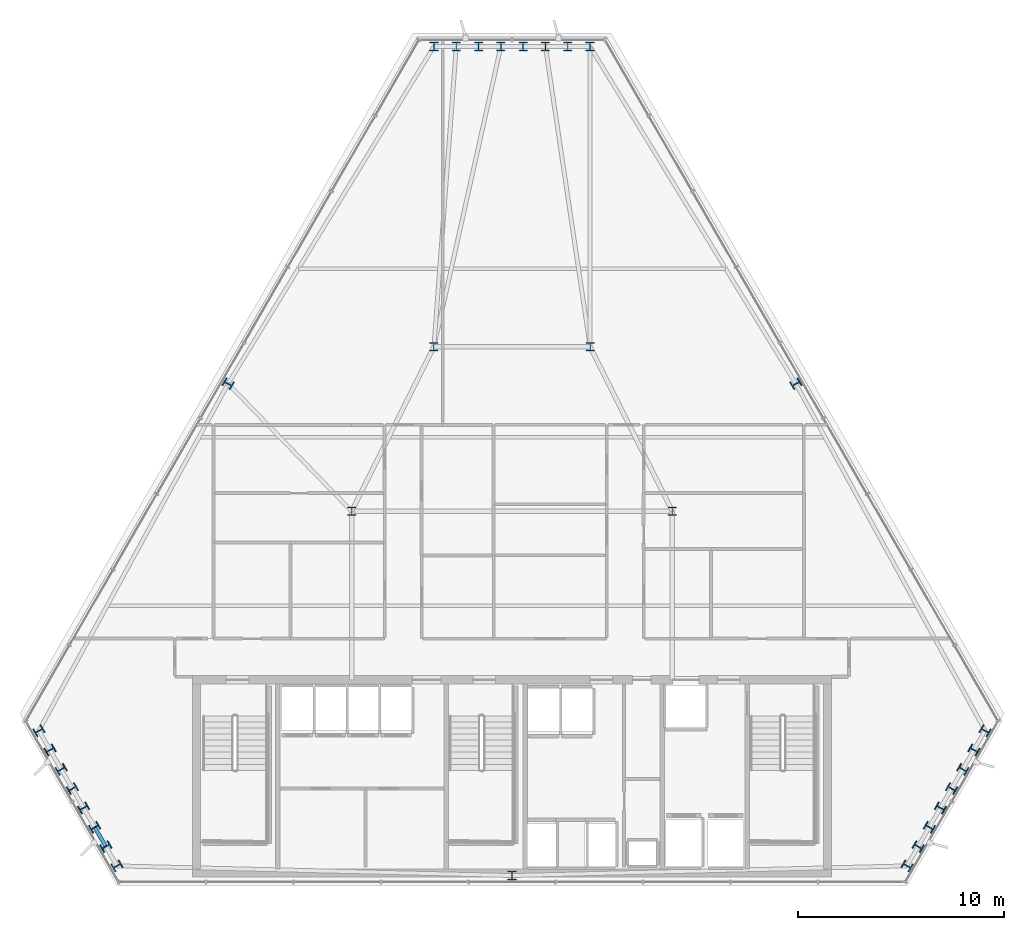
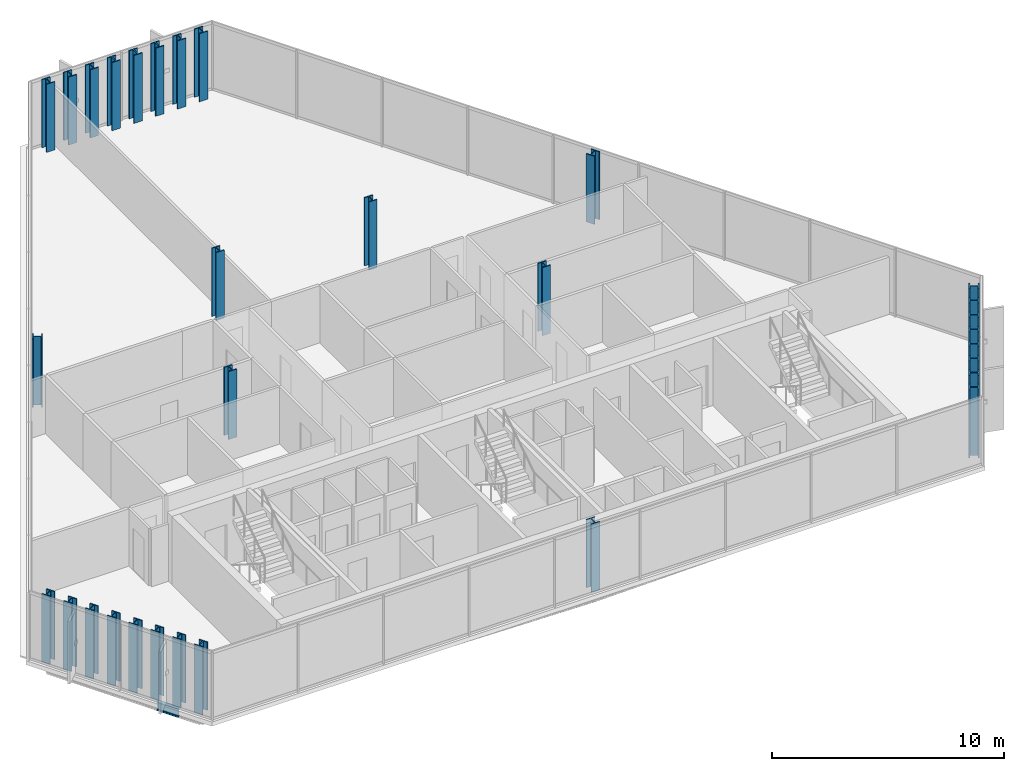
# One storey, part 1 of 34: 31 columns, 1 beam.
"""IFC4 building model written with IfcOpenShell, lengths in metres."""

from ifc_helpers import new_model, si_unit, direction, frame, origin, origin_2d, place, context, subcontext, project, spatial, i_section, extrude, material, material_profile, profile_set, type_object, element, save


model = new_model("IFC4")

# Units and contexts
model_context = context("Model", 3, precision=1e-05, world=origin(), true_north=direction((0.0, 1.0)))
body_context = subcontext(model_context, "Body", "Model", "MODEL_VIEW")
ifc_project = project(units=[si_unit("LENGTHUNIT", "METRE"), si_unit("AREAUNIT", "SQUARE_METRE"), si_unit("VOLUMEUNIT", "CUBIC_METRE"), si_unit("PLANEANGLEUNIT", "RADIAN"), si_unit("MASSUNIT", "GRAM", prefix="KILO")], contexts=[model_context])

# Site, building, storey
site_placement = place(None, origin())
site = spatial("IfcSite", under=ifc_project, at=site_placement, CompositionType="ELEMENT")
building_placement = place(site_placement, origin())
building = spatial("IfcBuilding", under=site, at=building_placement, Name="Ndaravel Arena Tower", CompositionType="ELEMENT")
storey_placement = place(building_placement, frame((0.0, 0.0, 191.60009765625)))
storey = spatial("IfcBuildingStorey", under=building, at=storey_placement, Name="L46", CompositionType="ELEMENT", Elevation=191.60009765625)

# Columns
ifc_material_1 = material(Name="Steel S355", Category="steel")
ifc_material_profile_1 = material_profile(ifc_material_1, i_section(OverallWidth=0.406982421875, OverallDepth=0.4189453125, WebThickness=0.030517578125, FlangeThickness=0.04931640625, FilletRadius=0.01513671875, at=origin_2d()), Name="UC 356x406x393")
ifc_profile_set_1 = profile_set([ifc_material_profile_1], Name="Steel S355")
column_type_1 = type_object("IfcColumnType", Name="COL-INT-UC393", PredefinedType="COLUMN", material=ifc_profile_set_1)
for number, where, z_axis, x_axis, name in (
    (1, (34.199951171875, 23.199951171875, 0.0), (0.0, 0.0, 1.0), (1.0, 0.0, 0.0), "L46 Interior Spine Column IC-01"),
    (2, (49.800048828125, 23.199951171875, 0.0), (0.0, 0.0, 1.0), (1.0, 0.0, 0.0), "L46 Interior Spine Column IC-02"),
    (3, (38.199951171875, 31.199951171875, 0.0), (0.0, 0.0, 1.0), (1.0, 0.0, 0.0), "L46 Interior Spine Column IC-03"),
    (4, (45.800048828125, 31.199951171875, 0.0), (0.0, 0.0, 1.0), (1.0, 0.0, 0.0), "L46 Interior Spine Column IC-04"),
):
    element("IfcColumn", number, at=place(storey_placement, frame(where, z_axis=z_axis, x_axis=x_axis)), inside=storey, type_object=column_type_1, Name=name, PredefinedType="COLUMN", context=body_context, shape_type="SweptSolid", body=[
        extrude(i_section(OverallWidth=0.406982421875, OverallDepth=0.4189453125, WebThickness=0.030517578125, FlangeThickness=0.04931640625, FilletRadius=0.01513671875, at=origin_2d()), origin(), (0.0, 0.0, 1.0), 3.579833984375),
    ])
ifc_material_2 = material(Name="Steel S355", Category="steel")
ifc_material_profile_2 = material_profile(ifc_material_2, i_section(OverallWidth=0.41796875, OverallDepth=0.455078125, WebThickness=0.0419921875, FlangeThickness=0.052001953125, FilletRadius=0.014892578125, at=origin_2d()), Name="HD 400x551")
ifc_profile_set_2 = profile_set([ifc_material_profile_2], Name="Steel S355")
column_type_2 = type_object("IfcColumnType", Name="COL-TUBE-HD551", PredefinedType="COLUMN", material=ifc_profile_set_2)
for number, where, z_axis, x_axis, name in (
    (5, (42.0, 5.47998046875, 0.0), (0.0, 0.0, 1.0), (1.0, 0.0, 0.0), "L46 Framed Tube Column TC-01"),
    (6, (61.215087890625, 5.94970703125, 0.0), (0.0, 0.0, 1.0), (0.5, 0.866025403784, 0.0), "L46 Framed Tube Column TC-02"),
    (7, (61.75732421875, 6.888916015625, 0.0), (0.0, 0.0, 1.0), (0.5, 0.866025403784, 0.0), "L46 Framed Tube Column TC-03"),
    (8, (62.2998046875, 7.828125, 0.0), (0.0, 0.0, 1.0), (0.5, 0.866025403784, 0.0), "L46 Framed Tube Column TC-04"),
    (9, (62.842041015625, 8.767333984375, 0.0), (0.0, 0.0, 1.0), (0.5, 0.866025403784, 0.0), "L46 Framed Tube Column TC-05"),
    (10, (63.38427734375, 9.706787109375, 0.0), (0.0, 0.0, 1.0), (0.5, 0.866025403784, 0.0), "L46 Framed Tube Column TC-06"),
    (11, (63.926513671875, 10.64599609375, 0.0), (0.0, 0.0, 1.0), (0.5, 0.866025403784, 0.0), "L46 Framed Tube Column TC-07"),
    (12, (64.46875, 11.585205078125, 0.0), (0.0, 0.0, 1.0), (0.5, 0.866025403784, 0.0), "L46 Framed Tube Column TC-08"),
    (13, (65.010986328125, 12.5244140625, 0.0), (0.0, 0.0, 1.0), (0.5, 0.866025403784, 0.0), "L46 Framed Tube Column TC-09"),
    (14, (55.810302734375, 29.39990234375, 0.0), (0.0, 0.0, 1.0), (-0.5, 0.866025403784, 0.0), "L46 Framed Tube Column TC-10"),
    (15, (45.7958984375, 45.805908203125, 0.0), (0.0, 0.0, 1.0), (1.0, 0.0, 0.0), "L46 Framed Tube Column TC-11"),
    (16, (44.71142578125, 45.805908203125, 0.0), (0.0, 0.0, 1.0), (1.0, 0.0, 0.0), "L46 Framed Tube Column TC-12"),
    (17, (43.626953125, 45.805908203125, 0.0), (0.0, 0.0, 1.0), (1.0, 0.0, 0.0), "L46 Framed Tube Column TC-13"),
    (18, (42.542236328125, 45.805908203125, 0.0), (0.0, 0.0, 1.0), (1.0, 0.0, 0.0), "L46 Framed Tube Column TC-14"),
    (19, (41.457763671875, 45.805908203125, 0.0), (0.0, 0.0, 1.0), (1.0, 0.0, 0.0), "L46 Framed Tube Column TC-15"),
    (20, (40.373046875, 45.805908203125, 0.0), (0.0, 0.0, 1.0), (1.0, 0.0, 0.0), "L46 Framed Tube Column TC-16"),
    (21, (39.28857421875, 45.805908203125, 0.0), (0.0, 0.0, 1.0), (1.0, 0.0, 0.0), "L46 Framed Tube Column TC-17"),
    (22, (38.2041015625, 45.805908203125, 0.0), (0.0, 0.0, 1.0), (1.0, 0.0, 0.0), "L46 Framed Tube Column TC-18"),
    (23, (28.189697265625, 29.400146484375, 0.0), (0.0, 0.0, 1.0), (0.5, 0.866025403784, 0.0), "L46 Framed Tube Column TC-19"),
    (24, (18.989013671875, 12.5244140625, 0.0), (0.0, 0.0, 1.0), (-0.5, 0.866025403784, 0.0), "L46 Framed Tube Column TC-20"),
    (25, (19.53125, 11.585205078125, 0.0), (0.0, 0.0, 1.0), (-0.5, 0.866025403784, 0.0), "L46 Framed Tube Column TC-21"),
    (26, (20.073486328125, 10.64599609375, 0.0), (0.0, 0.0, 1.0), (-0.5, 0.866025403784, 0.0), "L46 Framed Tube Column TC-22"),
    (27, (20.61572265625, 9.706787109375, 0.0), (0.0, 0.0, 1.0), (-0.5, 0.866025403784, 0.0), "L46 Framed Tube Column TC-23"),
    (28, (21.157958984375, 8.767333984375, 0.0), (0.0, 0.0, 1.0), (-0.5, 0.866025403784, 0.0), "L46 Framed Tube Column TC-24"),
    (29, (21.7001953125, 7.828125, 0.0), (0.0, 0.0, 1.0), (-0.5, 0.866025403784, 0.0), "L46 Framed Tube Column TC-25"),
    (30, (22.24267578125, 6.888916015625, 0.0), (0.0, 0.0, 1.0), (-0.5, 0.866025403784, 0.0), "L46 Framed Tube Column TC-26"),
    (31, (22.784912109375, 5.94970703125, 0.0), (0.0, 0.0, 1.0), (-0.5, 0.866025403784, 0.0), "L46 Framed Tube Column TC-27"),
):
    element("IfcColumn", number, at=place(storey_placement, frame(where, z_axis=z_axis, x_axis=x_axis)), inside=storey, type_object=column_type_2, Name=name, PredefinedType="COLUMN", context=body_context, shape_type="SweptSolid", body=[
        extrude(i_section(OverallWidth=0.41796875, OverallDepth=0.455078125, WebThickness=0.0419921875, FlangeThickness=0.052001953125, FilletRadius=0.014892578125, at=origin_2d()), origin(), (0.0, 0.0, 1.0), 3.579833984375),
    ])

# Beam
ifc_material_3 = material(Name="Steel S355", Category="steel")
ifc_material_profile_3 = material_profile(ifc_material_3, i_section(OverallWidth=0.18994140625, OverallDepth=0.449951171875, WebThickness=0.009521484375, FlangeThickness=0.0146484375, FilletRadius=0.02099609375, at=origin_2d()), Name="IPE 450")
ifc_profile_set_3 = profile_set([ifc_material_profile_3], Name="Steel S355")
beam_type = type_object("IfcBeamType", Name="BM-SPAN-IPE450", PredefinedType="SPANDREL", material=ifc_profile_set_3)
beam_placement = place(storey_placement, frame((21.7001953125, 7.828125, -0.445068359375), z_axis=(0.50015758769, -0.86593440137, 0.0), x_axis=(0.86593440137, 0.50015758769, 0.0)))
element("IfcBeam", 32, at=beam_placement, inside=storey, type_object=beam_type, Name="L46 Perimeter Spandrel Beam SP-25", PredefinedType="SPANDREL", context=body_context, shape_type="SweptSolid", body=[
    extrude(i_section(OverallWidth=0.18994140625, OverallDepth=0.449951171875, WebThickness=0.009521484375, FlangeThickness=0.0146484375, FilletRadius=0.02099609375, at=origin_2d()), origin(), (0.0, 0.0, 1.0), 1.084716796875),
])

save(model, "model.ifc")
